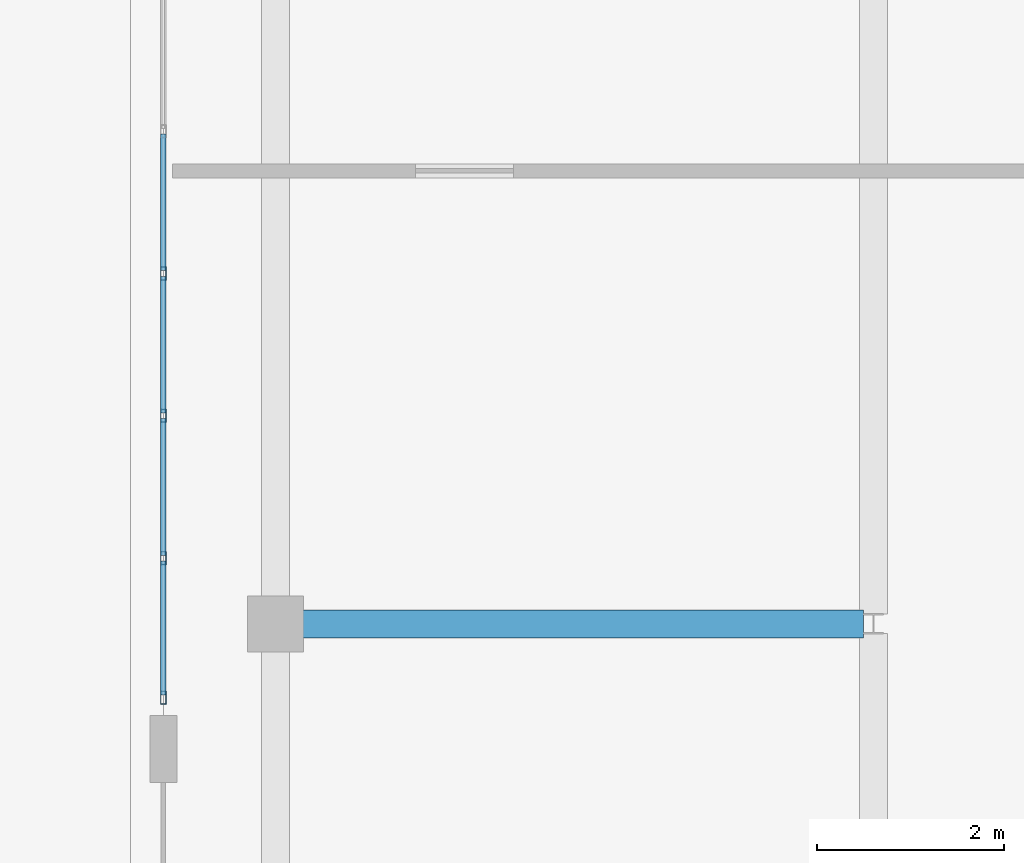
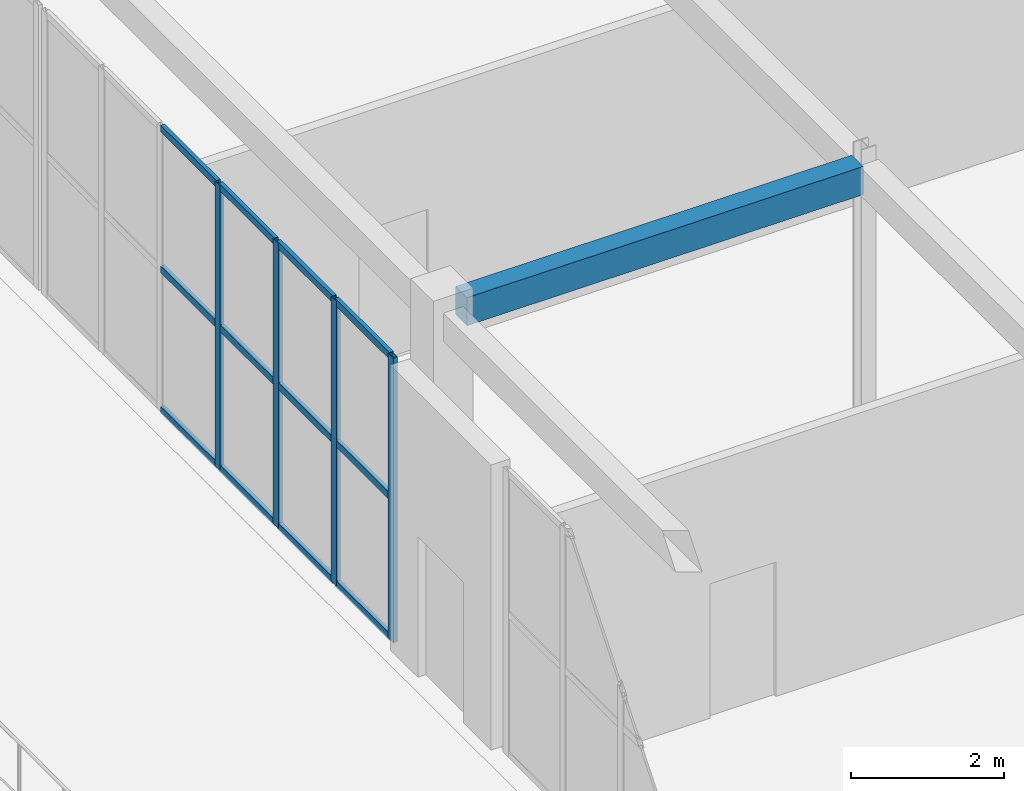
# One storey, part 28 of 158: 16 members, 1 beam, 1 element without a shape of its own.
"""IFC4 building model written with IfcOpenShell, lengths in metres."""

from ifc_helpers import new_model, si_unit, direction, frame, origin, origin_2d, place, context, subcontext, project, spatial, rectangle, hollow_rectangle, extrude, material, layer, layer_set, material_profile, profile_set, type_object, element, aggregate, save


model = new_model("IFC4")

# Units and contexts
model_context = context("Model", 3, precision=1e-05, world=origin(), true_north=direction((0.0, 1.0)))
body_context = subcontext(model_context, "Body", "Model", "MODEL_VIEW")
ifc_project = project(units=[si_unit("LENGTHUNIT", "METRE"), si_unit("AREAUNIT", "SQUARE_METRE"), si_unit("VOLUMEUNIT", "CUBIC_METRE"), si_unit("PLANEANGLEUNIT", "RADIAN"), si_unit("MASSUNIT", "GRAM", prefix="KILO")], contexts=[model_context])

# Site, building, storey
site_placement = place(None, origin())
site = spatial("IfcSite", under=ifc_project, at=site_placement, CompositionType="ELEMENT")
building_placement = place(site_placement, origin())
building = spatial("IfcBuilding", under=site, at=building_placement, Name="Trelvath General Hospital", CompositionType="ELEMENT")
storey_placement = place(building_placement, frame((0.0, 0.0, 8.10009765625)))
storey = spatial("IfcBuildingStorey", under=building, at=storey_placement, Name="L02", CompositionType="ELEMENT", Elevation=8.10009765625)

# Beam
ifc_material_1 = material(Name="Concrete C35/45", Category="concrete")
ifc_material_profile_1 = material_profile(ifc_material_1, rectangle(XDim=0.300048828125, YDim=0.449951171875, at=origin_2d()), Name="RCB300x450")
ifc_profile_set_1 = profile_set([ifc_material_profile_1], Name="Concrete C35/45")
beam_type = type_object("IfcBeamType", Name="Beam RC300x450", PredefinedType="BEAM", material=ifc_profile_set_1)
beam_placement = place(storey_placement, frame((54.696044921875, 58.800048828125, 4.3349609375), z_axis=(1.0, 0.0, 0.0), x_axis=(0.0, 1.0, 0.0)))
element("IfcBeam", 1, at=beam_placement, inside=storey, type_object=beam_type, Name="Cube Interior Ring Beam CUBE-W-T1 L02", PredefinedType="BEAM", context=body_context, shape_type="SweptSolid", body=[
    extrude(rectangle(XDim=0.300048828125, YDim=0.449951171875, at=origin_2d()), origin(), (0.0, 0.0, 1.0), 5.998046875),
])

# Curtain wall, members
ifc_material_2 = material(Name="Anodised aluminium and low-E glass", Category="aluminium")
ifc_layer = layer(ifc_material_2, 0.139892578125)
ifc_layer_set = layer_set([ifc_layer], Name="Anodised aluminium and low-E glass")
curtain_wall_type = type_object("IfcCurtainWallType", Name="CW CrystalCube 914 456 14", PredefinedType="USERDEFINED", material=ifc_layer_set)
curtain_wall_placement = place(storey_placement, origin())
curtain_wall = element("IfcCurtainWall", 2, at=curtain_wall_placement, inside=storey, type_object=curtain_wall_type, Name="Crystal Cube Curtain Wall CUBE-W-T1 W5 L02", ObjectType="Unitised Glazed Curtain Wall", PredefinedType="USERDEFINED")
ifc_material_3 = material(Name="Anodised aluminium", Category="aluminium")
ifc_material_profile_2 = material_profile(ifc_material_3, hollow_rectangle(XDim=0.06005859375, YDim=0.139892578125, WallThickness=0.00390625, at=origin_2d()), Name="RHS60x140x4")
ifc_profile_set_2 = profile_set([ifc_material_profile_2], Name="Anodised aluminium")
member_type_1 = type_object("IfcMemberType", Name="CurtainMullion 60x140", PredefinedType="MULLION", material=ifc_profile_set_2)
member_1_placement = place(storey_placement, frame((53.199951171875, 58.010009765625, 0.0), z_axis=(0.0, 0.0, 1.0), x_axis=(-1.0, 0.0, 0.0)))
member_1 = element("IfcMember", 3, at=member_1_placement, type_object=member_type_1, Name="CW-200 mullion 1", PredefinedType="MULLION", context=body_context, shape_type="SweptSolid", body=[
    extrude(hollow_rectangle(XDim=0.06005859375, YDim=0.139892578125, WallThickness=0.00390625, at=origin_2d()), origin(), (0.0, 0.0, 1.0), 4.559814453125),
])
member_2_placement = place(storey_placement, frame((53.199951171875, 59.50341796875, 0.0), z_axis=(0.0, 0.0, 1.0), x_axis=(-1.0, 0.0, 0.0)))
member_2 = element("IfcMember", 4, at=member_2_placement, type_object=member_type_1, Name="CW-200 mullion 2", PredefinedType="MULLION", context=body_context, shape_type="SweptSolid", body=[
    extrude(hollow_rectangle(XDim=0.06005859375, YDim=0.139892578125, WallThickness=0.00390625, at=origin_2d()), origin(), (0.0, 0.0, 1.0), 4.559814453125),
])
member_3_placement = place(storey_placement, frame((53.199951171875, 61.026611328125, 0.0), z_axis=(0.0, 0.0, 1.0), x_axis=(-1.0, 0.0, 0.0)))
member_3 = element("IfcMember", 5, at=member_3_placement, type_object=member_type_1, Name="CW-200 mullion 3", PredefinedType="MULLION", context=body_context, shape_type="SweptSolid", body=[
    extrude(hollow_rectangle(XDim=0.06005859375, YDim=0.139892578125, WallThickness=0.00390625, at=origin_2d()), origin(), (0.0, 0.0, 1.0), 4.559814453125),
])
member_4_placement = place(storey_placement, frame((53.199951171875, 62.550048828125, 0.0), z_axis=(0.0, 0.0, 1.0), x_axis=(-1.0, 0.0, 0.0)))
member_4 = element("IfcMember", 6, at=member_4_placement, type_object=member_type_1, Name="CW-200 mullion 4", PredefinedType="MULLION", context=body_context, shape_type="SweptSolid", body=[
    extrude(hollow_rectangle(XDim=0.06005859375, YDim=0.139892578125, WallThickness=0.00390625, at=origin_2d()), origin(), (0.0, 0.0, 1.0), 4.559814453125),
])
ifc_material_4 = material(Name="Anodised aluminium", Category="aluminium")
ifc_material_profile_3 = material_profile(ifc_material_4, hollow_rectangle(XDim=0.06005859375, YDim=0.110107421875, WallThickness=0.00390625, at=origin_2d()), Name="RHS60x110x4")
ifc_profile_set_3 = profile_set([ifc_material_profile_3], Name="Anodised aluminium")
member_type_2 = type_object("IfcMemberType", Name="CurtainTransom 60x110", PredefinedType="USERDEFINED", material=ifc_profile_set_3)
member_5_placement = place(storey_placement, frame((53.199951171875, 58.0400390625, 0.02978515625), z_axis=(0.0, 1.0, 0.0), x_axis=(-1.0, 0.0, 0.0)))
member_5 = element("IfcMember", 7, at=member_5_placement, type_object=member_type_2, Name="CW-200 transom 1.1", ObjectType="TRANSOM", PredefinedType="USERDEFINED", context=body_context, shape_type="SweptSolid", body=[
    extrude(hollow_rectangle(XDim=0.06005859375, YDim=0.110107421875, WallThickness=0.00390625, at=origin_2d()), origin(), (0.0, 0.0, 1.0), 1.433349609375),
])
member_6_placement = place(storey_placement, frame((53.199951171875, 58.0400390625, 2.27978515625), z_axis=(0.0, 1.0, 0.0), x_axis=(-1.0, 0.0, 0.0)))
member_6 = element("IfcMember", 8, at=member_6_placement, type_object=member_type_2, Name="CW-200 transom 1.2", ObjectType="TRANSOM", PredefinedType="USERDEFINED", context=body_context, shape_type="SweptSolid", body=[
    extrude(hollow_rectangle(XDim=0.06005859375, YDim=0.110107421875, WallThickness=0.00390625, at=origin_2d()), origin(), (0.0, 0.0, 1.0), 1.433349609375),
])
member_7_placement = place(storey_placement, frame((53.199951171875, 58.0400390625, 4.52978515625), z_axis=(0.0, 1.0, 0.0), x_axis=(-1.0, 0.0, 0.0)))
member_7 = element("IfcMember", 9, at=member_7_placement, type_object=member_type_2, Name="CW-200 transom 1.3", ObjectType="TRANSOM", PredefinedType="USERDEFINED", context=body_context, shape_type="SweptSolid", body=[
    extrude(hollow_rectangle(XDim=0.06005859375, YDim=0.110107421875, WallThickness=0.00390625, at=origin_2d()), origin(), (0.0, 0.0, 1.0), 1.433349609375),
])
member_8_placement = place(storey_placement, frame((53.199951171875, 59.533447265625, 0.02978515625), z_axis=(0.0, 1.0, 0.0), x_axis=(-1.0, 0.0, 0.0)))
member_8 = element("IfcMember", 10, at=member_8_placement, type_object=member_type_2, Name="CW-200 transom 2.1", ObjectType="TRANSOM", PredefinedType="USERDEFINED", context=body_context, shape_type="SweptSolid", body=[
    extrude(hollow_rectangle(XDim=0.06005859375, YDim=0.110107421875, WallThickness=0.00390625, at=origin_2d()), origin(), (0.0, 0.0, 1.0), 1.463134765625),
])
member_9_placement = place(storey_placement, frame((53.199951171875, 59.533447265625, 2.27978515625), z_axis=(0.0, 1.0, 0.0), x_axis=(-1.0, 0.0, 0.0)))
member_9 = element("IfcMember", 11, at=member_9_placement, type_object=member_type_2, Name="CW-200 transom 2.2", ObjectType="TRANSOM", PredefinedType="USERDEFINED", context=body_context, shape_type="SweptSolid", body=[
    extrude(hollow_rectangle(XDim=0.06005859375, YDim=0.110107421875, WallThickness=0.00390625, at=origin_2d()), origin(), (0.0, 0.0, 1.0), 1.463134765625),
])
member_10_placement = place(storey_placement, frame((53.199951171875, 59.533447265625, 4.52978515625), z_axis=(0.0, 1.0, 0.0), x_axis=(-1.0, 0.0, 0.0)))
member_10 = element("IfcMember", 12, at=member_10_placement, type_object=member_type_2, Name="CW-200 transom 2.3", ObjectType="TRANSOM", PredefinedType="USERDEFINED", context=body_context, shape_type="SweptSolid", body=[
    extrude(hollow_rectangle(XDim=0.06005859375, YDim=0.110107421875, WallThickness=0.00390625, at=origin_2d()), origin(), (0.0, 0.0, 1.0), 1.463134765625),
])
member_11_placement = place(storey_placement, frame((53.199951171875, 61.056640625, 0.02978515625), z_axis=(0.0, 1.0, 0.0), x_axis=(-1.0, 0.0, 0.0)))
member_11 = element("IfcMember", 13, at=member_11_placement, type_object=member_type_2, Name="CW-200 transom 3.1", ObjectType="TRANSOM", PredefinedType="USERDEFINED", context=body_context, shape_type="SweptSolid", body=[
    extrude(hollow_rectangle(XDim=0.06005859375, YDim=0.110107421875, WallThickness=0.00390625, at=origin_2d()), origin(), (0.0, 0.0, 1.0), 1.46337890625),
])
member_12_placement = place(storey_placement, frame((53.199951171875, 61.056640625, 2.27978515625), z_axis=(0.0, 1.0, 0.0), x_axis=(-1.0, 0.0, 0.0)))
member_12 = element("IfcMember", 14, at=member_12_placement, type_object=member_type_2, Name="CW-200 transom 3.2", ObjectType="TRANSOM", PredefinedType="USERDEFINED", context=body_context, shape_type="SweptSolid", body=[
    extrude(hollow_rectangle(XDim=0.06005859375, YDim=0.110107421875, WallThickness=0.00390625, at=origin_2d()), origin(), (0.0, 0.0, 1.0), 1.46337890625),
])
member_13_placement = place(storey_placement, frame((53.199951171875, 61.056640625, 4.52978515625), z_axis=(0.0, 1.0, 0.0), x_axis=(-1.0, 0.0, 0.0)))
member_13 = element("IfcMember", 15, at=member_13_placement, type_object=member_type_2, Name="CW-200 transom 3.3", ObjectType="TRANSOM", PredefinedType="USERDEFINED", context=body_context, shape_type="SweptSolid", body=[
    extrude(hollow_rectangle(XDim=0.06005859375, YDim=0.110107421875, WallThickness=0.00390625, at=origin_2d()), origin(), (0.0, 0.0, 1.0), 1.46337890625),
])
member_14_placement = place(storey_placement, frame((53.199951171875, 62.580078125, 0.02978515625), z_axis=(0.0, 1.0, 0.0), x_axis=(-1.0, 0.0, 0.0)))
member_14 = element("IfcMember", 16, at=member_14_placement, type_object=member_type_2, Name="CW-200 transom 4.1", ObjectType="TRANSOM", PredefinedType="USERDEFINED", context=body_context, shape_type="SweptSolid", body=[
    extrude(hollow_rectangle(XDim=0.06005859375, YDim=0.110107421875, WallThickness=0.00390625, at=origin_2d()), origin(), (0.0, 0.0, 1.0), 1.463134765625),
])
member_15_placement = place(storey_placement, frame((53.199951171875, 62.580078125, 2.27978515625), z_axis=(0.0, 1.0, 0.0), x_axis=(-1.0, 0.0, 0.0)))
member_15 = element("IfcMember", 17, at=member_15_placement, type_object=member_type_2, Name="CW-200 transom 4.2", ObjectType="TRANSOM", PredefinedType="USERDEFINED", context=body_context, shape_type="SweptSolid", body=[
    extrude(hollow_rectangle(XDim=0.06005859375, YDim=0.110107421875, WallThickness=0.00390625, at=origin_2d()), origin(), (0.0, 0.0, 1.0), 1.463134765625),
])
member_16_placement = place(storey_placement, frame((53.199951171875, 62.580078125, 4.52978515625), z_axis=(0.0, 1.0, 0.0), x_axis=(-1.0, 0.0, 0.0)))
member_16 = element("IfcMember", 18, at=member_16_placement, type_object=member_type_2, Name="CW-200 transom 4.3", ObjectType="TRANSOM", PredefinedType="USERDEFINED", context=body_context, shape_type="SweptSolid", body=[
    extrude(hollow_rectangle(XDim=0.06005859375, YDim=0.110107421875, WallThickness=0.00390625, at=origin_2d()), origin(), (0.0, 0.0, 1.0), 1.463134765625),
])
aggregate(curtain_wall, [member_1, member_2, member_3, member_4, member_5, member_6, member_7, member_8, member_9, member_10, member_11, member_12, member_13, member_14, member_15, member_16])

save(model, "model.ifc")
